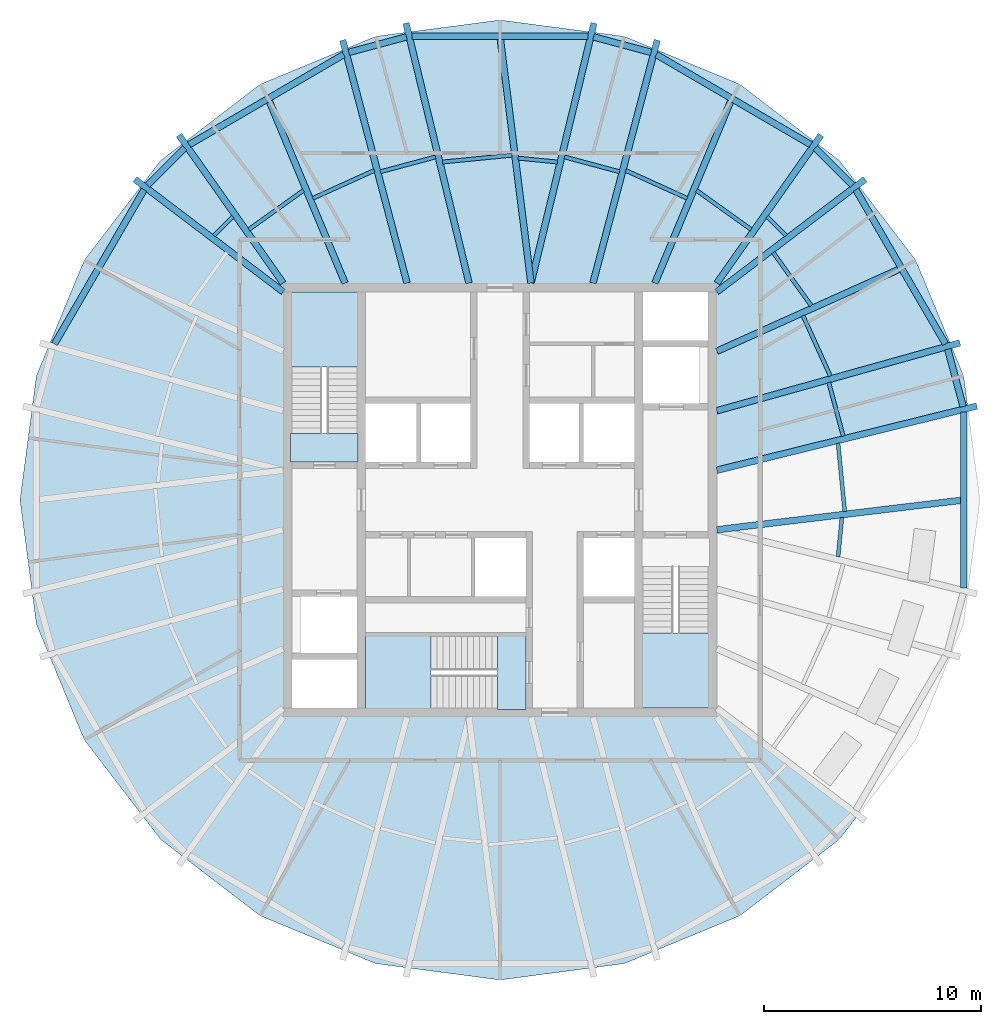
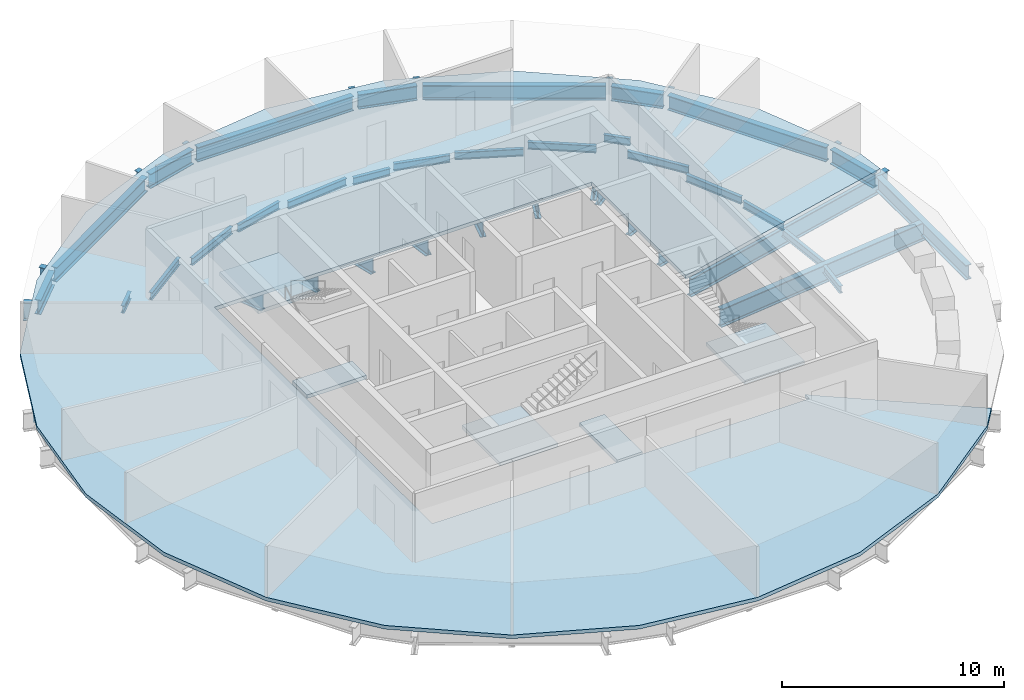
# One storey, part 2 of 7: 41 beams, 6 slabs, 3 elements without a shape of their own.
"""IFC4 building model written with IfcOpenShell, lengths in metres."""

from ifc_helpers import new_model, si_unit, direction, frame, origin, origin_2d, place, context, subcontext, project, spatial, polyline, i_section, outline, extrude, material, layer, layer_set, material_profile, profile_set, type_object, element, aggregate, save


model = new_model("IFC4")

# Units and contexts
model_context = context("Model", 3, precision=1e-05, world=origin(), true_north=direction((0.0, 1.0)))
body_context = subcontext(model_context, "Body", "Model", "MODEL_VIEW")
ifc_project = project(units=[si_unit("LENGTHUNIT", "METRE"), si_unit("AREAUNIT", "SQUARE_METRE"), si_unit("VOLUMEUNIT", "CUBIC_METRE"), si_unit("PLANEANGLEUNIT", "RADIAN"), si_unit("MASSUNIT", "GRAM", prefix="KILO")], contexts=[model_context])

# Site, building, storey
site_placement = place(None, origin())
site = spatial("IfcSite", under=ifc_project, at=site_placement, CompositionType="ELEMENT")
building_placement = place(site_placement, origin())
building = spatial("IfcBuilding", under=site, at=building_placement, Name="Golbaran Civic Tower", CompositionType="ELEMENT")
storey_placement = place(building_placement, frame((0.0, 0.0, 260.0)))
storey = spatial("IfcBuildingStorey", under=building, at=storey_placement, Name="L63", CompositionType="ELEMENT", Elevation=260.0)

# Beams
ifc_material_1 = material(Name="Steel S355", Category="steel")
ifc_material_profile_1 = material_profile(ifc_material_1, i_section(OverallWidth=0.300048828125, OverallDepth=0.800048828125, WebThickness=0.017578125, FlangeThickness=0.032958984375, FilletRadius=0.030029296875, at=origin_2d()), Name="HEB 800")
ifc_profile_set_1 = profile_set([ifc_material_profile_1], Name="Steel S355")
beam_type_1 = type_object("IfcBeamType", Name="EDGE BEAM HEB 800", PredefinedType="BEAM", material=ifc_profile_set_1)
beam_1_placement = place(storey_placement, frame((21.353759765625, 4.31005859375, -0.60009765625), z_axis=(-0.25901694916, 0.965872776326, 0.0), x_axis=(-0.965872776326, -0.25901694916, 0.0)))
element("IfcBeam", 1, at=beam_1_placement, inside=storey, type_object=beam_type_1, Name="Edge beam 11.21 L63", PredefinedType="BEAM", context=body_context, shape_type="SweptSolid", body=[
    extrude(i_section(OverallWidth=0.300048828125, OverallDepth=0.800048828125, WebThickness=0.017578125, FlangeThickness=0.032958984375, FilletRadius=0.030029296875, at=origin_2d()), origin(), (0.0, 0.0, 1.0), 2.7373046875),
])
beam_2_placement = place(storey_placement, frame((20.54345703125, 7.195556640625, -0.60009765625), z_axis=(-0.502779418578, 0.864414747823, 0.0), x_axis=(-0.864414747823, -0.502779418578, 0.0)))
element("IfcBeam", 2, at=beam_2_placement, inside=storey, type_object=beam_type_1, Name="Edge beam 18.79 L63", PredefinedType="BEAM", context=body_context, shape_type="SweptSolid", body=[
    extrude(i_section(OverallWidth=0.300048828125, OverallDepth=0.800048828125, WebThickness=0.017578125, FlangeThickness=0.032958984375, FilletRadius=0.030029296875, at=origin_2d()), origin(), (0.0, 0.0, 1.0), 8.221435546875),
])
beam_3_placement = place(storey_placement, frame((16.251220703125, 14.50830078125, -0.60009765625), z_axis=(-0.706451703172, 0.707761252885, 0.0), x_axis=(-0.707761252885, -0.706451703172, 0.0)))
element("IfcBeam", 3, at=beam_3_placement, inside=storey, type_object=beam_type_1, Name="Edge beam 41.21 L63", PredefinedType="BEAM", context=body_context, shape_type="SweptSolid", body=[
    extrude(i_section(OverallWidth=0.300048828125, OverallDepth=0.800048828125, WebThickness=0.017578125, FlangeThickness=0.032958984375, FilletRadius=0.030029296875, at=origin_2d()), origin(), (0.0, 0.0, 1.0), 2.423583984375),
])
beam_4_placement = place(storey_placement, frame((14.333251953125, 16.3828125, -0.60009765625), z_axis=(-0.863762793422, 0.503898637328, 0.0), x_axis=(-0.503898637328, -0.863762793422, 0.0)))
element("IfcBeam", 4, at=beam_4_placement, inside=storey, type_object=beam_type_1, Name="Edge beam 48.79 L63", PredefinedType="BEAM", context=body_context, shape_type="SweptSolid", body=[
    extrude(i_section(OverallWidth=0.300048828125, OverallDepth=0.800048828125, WebThickness=0.017578125, FlangeThickness=0.032958984375, FilletRadius=0.030029296875, at=origin_2d()), origin(), (0.0, 0.0, 1.0), 8.246337890625),
])
beam_5_placement = place(storey_placement, frame((6.96826171875, 20.639892578125, -0.60009765625), z_axis=(-0.965755456835, 0.259454037534, 0.0), x_axis=(-0.259454037534, -0.965755456835, 0.0)))
element("IfcBeam", 5, at=beam_5_placement, inside=storey, type_object=beam_type_1, Name="Edge beam 71.21 L63", PredefinedType="BEAM", context=body_context, shape_type="SweptSolid", body=[
    extrude(i_section(OverallWidth=0.300048828125, OverallDepth=0.800048828125, WebThickness=0.017578125, FlangeThickness=0.032958984375, FilletRadius=0.030029296875, at=origin_2d()), origin(), (0.0, 0.0, 1.0), 2.74755859375),
])
beam_6_placement = place(storey_placement, frame((4.055419921875, 21.386474609375, -0.60009765625), z_axis=(-1.0, 0.0, 0.0), x_axis=(0.0, -1.0, 0.0)))
element("IfcBeam", 6, at=beam_6_placement, inside=storey, type_object=beam_type_1, Name="Edge beam 78.79 L63", PredefinedType="BEAM", context=body_context, shape_type="SweptSolid", body=[
    extrude(i_section(OverallWidth=0.300048828125, OverallDepth=0.800048828125, WebThickness=0.017578125, FlangeThickness=0.032958984375, FilletRadius=0.030029296875, at=origin_2d()), origin(), (0.0, 0.0, 1.0), 8.11083984375),
])
beam_7_placement = place(storey_placement, frame((-4.314697265625, 21.352783203125, -0.60009765625), z_axis=(-0.965755456835, -0.259454037534, 0.0), x_axis=(0.259454037534, -0.965755456835, 0.0)))
element("IfcBeam", 7, at=beam_7_placement, inside=storey, type_object=beam_type_1, Name="Edge beam 101.21 L63", PredefinedType="BEAM", context=body_context, shape_type="SweptSolid", body=[
    extrude(i_section(OverallWidth=0.300048828125, OverallDepth=0.800048828125, WebThickness=0.017578125, FlangeThickness=0.032958984375, FilletRadius=0.030029296875, at=origin_2d()), origin(), (0.0, 0.0, 1.0), 2.74755859375),
])
beam_8_placement = place(storey_placement, frame((-7.21044921875, 20.5380859375, -0.60009765625), z_axis=(-0.863762793422, -0.503898637328, 0.0), x_axis=(0.503898637328, -0.863762793422, 0.0)))
element("IfcBeam", 8, at=beam_8_placement, inside=storey, type_object=beam_type_1, Name="Edge beam 108.79 L63", PredefinedType="BEAM", context=body_context, shape_type="SweptSolid", body=[
    extrude(i_section(OverallWidth=0.300048828125, OverallDepth=0.800048828125, WebThickness=0.017578125, FlangeThickness=0.032958984375, FilletRadius=0.030029296875, at=origin_2d()), origin(), (0.0, 0.0, 1.0), 8.246337890625),
])
beam_9_placement = place(storey_placement, frame((-14.5390625, 16.2236328125, -0.60009765625), z_axis=(-0.706451703172, -0.707761252885, 0.0), x_axis=(0.707761252885, -0.706451703172, 0.0)))
element("IfcBeam", 9, at=beam_9_placement, inside=storey, type_object=beam_type_1, Name="Edge beam 131.21 L63", PredefinedType="BEAM", context=body_context, shape_type="SweptSolid", body=[
    extrude(i_section(OverallWidth=0.300048828125, OverallDepth=0.800048828125, WebThickness=0.017578125, FlangeThickness=0.032958984375, FilletRadius=0.030029296875, at=origin_2d()), origin(), (0.0, 0.0, 1.0), 2.423583984375),
])
beam_10_placement = place(storey_placement, frame((-16.409912109375, 14.30224609375, -0.60009765625), z_axis=(-0.502779418578, -0.864414747823, 0.0), x_axis=(0.864414747823, -0.502779418578, 0.0)))
element("IfcBeam", 10, at=beam_10_placement, inside=storey, type_object=beam_type_1, Name="Edge beam 138.79 L63", PredefinedType="BEAM", context=body_context, shape_type="SweptSolid", body=[
    extrude(i_section(OverallWidth=0.300048828125, OverallDepth=0.800048828125, WebThickness=0.017578125, FlangeThickness=0.032958984375, FilletRadius=0.030029296875, at=origin_2d()), origin(), (0.0, 0.0, 1.0), 8.221435546875),
])
beam_11_placement = place(storey_placement, frame((21.387451171875, -4.050537109375, -0.60009765625), z_axis=(0.0, 1.0, 0.0), x_axis=(-1.0, 0.0, 0.0)))
element("IfcBeam", 11, at=beam_11_placement, inside=storey, type_object=beam_type_1, Name="Edge beam 348.79 L63", PredefinedType="BEAM", context=body_context, shape_type="SweptSolid", body=[
    extrude(i_section(OverallWidth=0.300048828125, OverallDepth=0.800048828125, WebThickness=0.017578125, FlangeThickness=0.032958984375, FilletRadius=0.030029296875, at=origin_2d()), origin(), (0.0, 0.0, 1.0), 8.10107421875),
])
ifc_material_profile_2 = material_profile(ifc_material_1, i_section(OverallWidth=0.179931640625, OverallDepth=0.39990234375, WebThickness=0.008544921875, FlangeThickness=0.013427734375, FilletRadius=0.02099609375, at=origin_2d()), Name="IPE 400")
ifc_profile_set_2 = profile_set([ifc_material_profile_2], Name="Steel S355")
beam_type_2 = type_object("IfcBeamType", Name="FLOOR INFILL BEAM IPE 400", PredefinedType="BEAM", material=ifc_profile_set_2)
beam_12_placement = place(storey_placement, frame((15.896728515625, -0.5302734375, -0.39990234375), z_axis=(-0.097631380089, 0.995222645252, 0.0), x_axis=(-0.995222645252, -0.097631380089, 0.0)))
element("IfcBeam", 12, at=beam_12_placement, inside=storey, type_object=beam_type_2, Name="Infill beam 5.60 L63", PredefinedType="BEAM", context=body_context, shape_type="SweptSolid", body=[
    extrude(i_section(OverallWidth=0.179931640625, OverallDepth=0.39990234375, WebThickness=0.008544921875, FlangeThickness=0.013427734375, FilletRadius=0.02099609375, at=origin_2d()), origin(), (0.0, 0.0, 1.0), 3.163330078125),
])
beam_13_placement = place(storey_placement, frame((15.82421875, 2.944091796875, -0.39990234375), z_axis=(-0.258829662571, 0.965922981284, 0.0), x_axis=(-0.965922981284, -0.258829662571, 0.0)))
element("IfcBeam", 13, at=beam_13_placement, inside=storey, type_object=beam_type_2, Name="Infill beam 15.00 L63", PredefinedType="BEAM", context=body_context, shape_type="SweptSolid", body=[
    extrude(i_section(OverallWidth=0.179931640625, OverallDepth=0.39990234375, WebThickness=0.008544921875, FlangeThickness=0.013427734375, FilletRadius=0.02099609375, at=origin_2d()), origin(), (0.0, 0.0, 1.0), 2.564697265625),
])
beam_14_placement = place(storey_placement, frame((15.23388671875, 5.7119140625, -0.39990234375), z_axis=(-0.413057972764, 0.910704733235, 0.0), x_axis=(-0.910704733235, -0.413057972764, 0.0)))
element("IfcBeam", 14, at=beam_14_placement, inside=storey, type_object=beam_type_2, Name="Infill beam 24.40 L63", PredefinedType="BEAM", context=body_context, shape_type="SweptSolid", body=[
    extrude(i_section(OverallWidth=0.179931640625, OverallDepth=0.39990234375, WebThickness=0.008544921875, FlangeThickness=0.013427734375, FilletRadius=0.02099609375, at=origin_2d()), origin(), (0.0, 0.0, 1.0), 3.062255859375),
])
beam_15_placement = place(storey_placement, frame((14.35302734375, 8.958740234375, -0.39990234375), z_axis=(-0.582187972449, 0.813054220046, 0.0), x_axis=(-0.813054220046, -0.582187972449, 0.0)))
element("IfcBeam", 15, at=beam_15_placement, inside=storey, type_object=beam_type_2, Name="Infill beam 35.60 L63", PredefinedType="BEAM", context=body_context, shape_type="SweptSolid", body=[
    extrude(i_section(OverallWidth=0.179931640625, OverallDepth=0.39990234375, WebThickness=0.008544921875, FlangeThickness=0.013427734375, FilletRadius=0.02099609375, at=origin_2d()), origin(), (0.0, 0.0, 1.0), 3.013916015625),
])
beam_16_placement = place(storey_placement, frame((13.193359375, 12.187255859375, -0.39990234375), z_axis=(-0.707106781187, 0.707106781187, 0.0), x_axis=(-0.707106781187, -0.707106781187, 0.0)))
element("IfcBeam", 16, at=beam_16_placement, inside=storey, type_object=beam_type_2, Name="Infill beam 45.00 L63", PredefinedType="BEAM", context=body_context, shape_type="SweptSolid", body=[
    extrude(i_section(OverallWidth=0.179931640625, OverallDepth=0.39990234375, WebThickness=0.008544921875, FlangeThickness=0.013427734375, FilletRadius=0.02099609375, at=origin_2d()), origin(), (0.0, 0.0, 1.0), 1.240966796875),
])
beam_17_placement = place(storey_placement, frame((11.5810546875, 12.472412109375, -0.39990234375), z_axis=(-0.813098930695, 0.582125526757, 0.0), x_axis=(-0.582125526757, -0.813098930695, 0.0)))
element("IfcBeam", 17, at=beam_17_placement, inside=storey, type_object=beam_type_2, Name="Infill beam 54.40 L63", PredefinedType="BEAM", context=body_context, shape_type="SweptSolid", body=[
    extrude(i_section(OverallWidth=0.179931640625, OverallDepth=0.39990234375, WebThickness=0.008544921875, FlangeThickness=0.013427734375, FilletRadius=0.02099609375, at=origin_2d()), origin(), (0.0, 0.0, 1.0), 3.095947265625),
])
beam_18_placement = place(storey_placement, frame((8.63037109375, 13.910400390625, -0.39990234375), z_axis=(-0.910699287855, 0.413069978454, 0.0), x_axis=(-0.413069978454, -0.910699287855, 0.0)))
element("IfcBeam", 18, at=beam_18_placement, inside=storey, type_object=beam_type_2, Name="Infill beam 65.60 L63", PredefinedType="BEAM", context=body_context, shape_type="SweptSolid", body=[
    extrude(i_section(OverallWidth=0.179931640625, OverallDepth=0.39990234375, WebThickness=0.008544921875, FlangeThickness=0.013427734375, FilletRadius=0.02099609375, at=origin_2d()), origin(), (0.0, 0.0, 1.0), 3.1123046875),
])
beam_19_placement = place(storey_placement, frame((5.51123046875, 15.13623046875, -0.39990234375), z_axis=(-0.965935199195, 0.258784062406, 0.0), x_axis=(-0.258784062406, -0.965935199195, 0.0)))
element("IfcBeam", 19, at=beam_19_placement, inside=storey, type_object=beam_type_2, Name="Infill beam 75.00 L63", PredefinedType="BEAM", context=body_context, shape_type="SweptSolid", body=[
    extrude(i_section(OverallWidth=0.179931640625, OverallDepth=0.39990234375, WebThickness=0.008544921875, FlangeThickness=0.013427734375, FilletRadius=0.02099609375, at=origin_2d()), origin(), (0.0, 0.0, 1.0), 2.62841796875),
])
beam_20_placement = place(storey_placement, frame((2.648681640625, 15.58447265625, -0.39990234375), z_axis=(-0.995223928359, 0.097618299629, 0.0), x_axis=(-0.097618299629, -0.995223928359, 0.0)))
element("IfcBeam", 20, at=beam_20_placement, inside=storey, type_object=beam_type_2, Name="Infill beam 84.40 L63", PredefinedType="BEAM", context=body_context, shape_type="SweptSolid", body=[
    extrude(i_section(OverallWidth=0.179931640625, OverallDepth=0.39990234375, WebThickness=0.008544921875, FlangeThickness=0.013427734375, FilletRadius=0.02099609375, at=origin_2d()), origin(), (0.0, 0.0, 1.0), 1.82080078125),
])
beam_21_placement = place(storey_placement, frame((0.557373046875, 15.89892578125, -0.39990234375), z_axis=(-0.995224483875, -0.097612635945, 0.0), x_axis=(0.097612635945, -0.995224483875, 0.0)))
element("IfcBeam", 21, at=beam_21_placement, inside=storey, type_object=beam_type_2, Name="Infill beam 95.60 L63", PredefinedType="BEAM", context=body_context, shape_type="SweptSolid", body=[
    extrude(i_section(OverallWidth=0.179931640625, OverallDepth=0.39990234375, WebThickness=0.008544921875, FlangeThickness=0.013427734375, FilletRadius=0.02099609375, at=origin_2d()), origin(), (0.0, 0.0, 1.0), 3.221435546875),
])
beam_22_placement = place(storey_placement, frame((-2.972412109375, 15.81640625, -0.39990234375), z_axis=(-0.965935199195, -0.258784062406, 0.0), x_axis=(0.258784062406, -0.965935199195, 0.0)))
element("IfcBeam", 22, at=beam_22_placement, inside=storey, type_object=beam_type_2, Name="Infill beam 105.00 L63", PredefinedType="BEAM", context=body_context, shape_type="SweptSolid", body=[
    extrude(i_section(OverallWidth=0.179931640625, OverallDepth=0.39990234375, WebThickness=0.008544921875, FlangeThickness=0.013427734375, FilletRadius=0.02099609375, at=origin_2d()), origin(), (0.0, 0.0, 1.0), 2.62841796875),
])
beam_23_placement = place(storey_placement, frame((-5.7958984375, 15.196044921875, -0.39990234375), z_axis=(-0.910699287855, -0.413069978454, 0.0), x_axis=(0.413069978454, -0.910699287855, 0.0)))
element("IfcBeam", 23, at=beam_23_placement, inside=storey, type_object=beam_type_2, Name="Infill beam 114.40 L63", PredefinedType="BEAM", context=body_context, shape_type="SweptSolid", body=[
    extrude(i_section(OverallWidth=0.179931640625, OverallDepth=0.39990234375, WebThickness=0.008544921875, FlangeThickness=0.013427734375, FilletRadius=0.02099609375, at=origin_2d()), origin(), (0.0, 0.0, 1.0), 3.1123046875),
])
beam_24_placement = place(storey_placement, frame((-9.063720703125, 14.274658203125, -0.39990234375), z_axis=(-0.813098930695, -0.582125526757, 0.0), x_axis=(0.582125526757, -0.813098930695, 0.0)))
element("IfcBeam", 24, at=beam_24_placement, inside=storey, type_object=beam_type_2, Name="Infill beam 125.60 L63", PredefinedType="BEAM", context=body_context, shape_type="SweptSolid", body=[
    extrude(i_section(OverallWidth=0.179931640625, OverallDepth=0.39990234375, WebThickness=0.008544921875, FlangeThickness=0.013427734375, FilletRadius=0.02099609375, at=origin_2d()), origin(), (0.0, 0.0, 1.0), 3.095947265625),
])
beam_25_placement = place(storey_placement, frame((-12.31591796875, 13.064697265625, -0.39990234375), z_axis=(-0.707106781187, -0.707106781187, 0.0), x_axis=(0.707106781187, -0.707106781187, 0.0)))
element("IfcBeam", 25, at=beam_25_placement, inside=storey, type_object=beam_type_2, Name="Infill beam 135.00 L63", PredefinedType="BEAM", context=body_context, shape_type="SweptSolid", body=[
    extrude(i_section(OverallWidth=0.179931640625, OverallDepth=0.39990234375, WebThickness=0.008544921875, FlangeThickness=0.013427734375, FilletRadius=0.02099609375, at=origin_2d()), origin(), (0.0, 0.0, 1.0), 1.240966796875),
])
beam_26_placement = place(storey_placement, frame((15.587890625, -2.617919921875, -0.39990234375), z_axis=(0.097735684959, 0.995212407421, 0.0), x_axis=(-0.995212407421, 0.097735684959, 0.0)))
element("IfcBeam", 26, at=beam_26_placement, inside=storey, type_object=beam_type_2, Name="Infill beam 354.40 L63", PredefinedType="BEAM", context=body_context, shape_type="SweptSolid", body=[
    extrude(i_section(OverallWidth=0.179931640625, OverallDepth=0.39990234375, WebThickness=0.008544921875, FlangeThickness=0.013427734375, FilletRadius=0.02099609375, at=origin_2d()), origin(), (0.0, 0.0, 1.0), 1.818603515625),
])
ifc_material_profile_3 = material_profile(ifc_material_1, i_section(OverallWidth=0.300048828125, OverallDepth=1.0, WebThickness=0.01904296875, FlangeThickness=0.035888671875, FilletRadius=0.030029296875, at=origin_2d()), Name="HEB 1000")
ifc_profile_set_3 = profile_set([ifc_material_profile_3], Name="Steel S355")
beam_type_3 = type_object("IfcBeamType", Name="RADIAL FLOOR BEAM HEB 1000", PredefinedType="BEAM", material=ifc_profile_set_3)
beam_27_placement = place(storey_placement, frame((10.0, 1.371337890625, -0.7099609375), z_axis=(0.970817930922, 0.239817732875, 0.0), x_axis=(-0.239817732875, 0.970817930922, 0.0)))
element("IfcBeam", 27, at=beam_27_placement, inside=storey, type_object=beam_type_3, Name="Radial beam 11.21 L63", PredefinedType="BEAM", context=body_context, shape_type="SweptSolid", body=[
    extrude(i_section(OverallWidth=0.300048828125, OverallDepth=1.0, WebThickness=0.01904296875, FlangeThickness=0.035888671875, FilletRadius=0.030029296875, at=origin_2d()), origin(), (0.0, 0.0, 1.0), 12.34765625),
])
beam_28_placement = place(storey_placement, frame((10.0, 4.1142578125, -0.7099609375), z_axis=(0.963103136489, 0.269132585328, 0.0), x_axis=(-0.269132585328, 0.963103136489, 0.0)))
element("IfcBeam", 28, at=beam_28_placement, inside=storey, type_object=beam_type_3, Name="Radial beam 18.79 L63", PredefinedType="BEAM", context=body_context, shape_type="SweptSolid", body=[
    extrude(i_section(OverallWidth=0.300048828125, OverallDepth=1.0, WebThickness=0.01904296875, FlangeThickness=0.035888671875, FilletRadius=0.030029296875, at=origin_2d()), origin(), (0.0, 0.0, 1.0), 11.635986328125),
])
beam_29_placement = place(storey_placement, frame((10.0, 9.60009765625, -0.7099609375), z_axis=(0.79651506538, 0.604618681999, 0.0), x_axis=(-0.604618681999, 0.79651506538, 0.0)))
element("IfcBeam", 29, at=beam_29_placement, inside=storey, type_object=beam_type_3, Name="Radial beam 41.21 L63", PredefinedType="BEAM", context=body_context, shape_type="SweptSolid", body=[
    extrude(i_section(OverallWidth=0.300048828125, OverallDepth=1.0, WebThickness=0.01904296875, FlangeThickness=0.035888671875, FilletRadius=0.030029296875, at=origin_2d()), origin(), (0.0, 0.0, 1.0), 8.58251953125),
])
beam_30_placement = place(storey_placement, frame((10.0, 10.0, -0.7099609375), z_axis=(0.575547758887, 0.817768168395, 0.0), x_axis=(-0.817768168395, 0.575547758887, 0.0)))
element("IfcBeam", 30, at=beam_30_placement, inside=storey, type_object=beam_type_3, Name="Radial beam 48.79 L63", PredefinedType="BEAM", context=body_context, shape_type="SweptSolid", body=[
    extrude(i_section(OverallWidth=0.300048828125, OverallDepth=1.0, WebThickness=0.01904296875, FlangeThickness=0.035888671875, FilletRadius=0.030029296875, at=origin_2d()), origin(), (0.0, 0.0, 1.0), 8.3447265625),
])
beam_31_placement = place(storey_placement, frame((4.28564453125, 10.0, -0.7099609375), z_axis=(0.255948719211, 0.966690360526, 0.0), x_axis=(-0.966690360526, 0.255948719211, 0.0)))
element("IfcBeam", 31, at=beam_31_placement, inside=storey, type_object=beam_type_3, Name="Radial beam 71.21 L63", PredefinedType="BEAM", context=body_context, shape_type="SweptSolid", body=[
    extrude(i_section(OverallWidth=0.300048828125, OverallDepth=1.0, WebThickness=0.01904296875, FlangeThickness=0.035888671875, FilletRadius=0.030029296875, at=origin_2d()), origin(), (0.0, 0.0, 1.0), 11.59033203125),
])
for number, where, z_axis, x_axis, name in (
    (32, (1.428466796875, 10.0, -0.7099609375), (0.235622686022, 0.971844611979, 0.0), (-0.971844611979, 0.235622686022, 0.0), "Radial beam 78.79 L63"),
    (33, (-1.428466796875, 10.0, -0.7099609375), (-0.235622686022, 0.971844611979, 0.0), (-0.971844611979, -0.235622686022, 0.0), "Radial beam 101.21 L63"),
):
    element("IfcBeam", number, at=place(storey_placement, frame(where, z_axis=z_axis, x_axis=x_axis)), inside=storey, type_object=beam_type_3, Name=name, PredefinedType="BEAM", context=body_context, shape_type="SweptSolid", body=[
        extrude(i_section(OverallWidth=0.300048828125, OverallDepth=1.0, WebThickness=0.01904296875, FlangeThickness=0.035888671875, FilletRadius=0.030029296875, at=origin_2d()), origin(), (0.0, 0.0, 1.0), 12.334228515625),
    ])
beam_32_placement = place(storey_placement, frame((-4.28564453125, 10.0, -0.7099609375), z_axis=(-0.255948719211, 0.966690360526, 0.0), x_axis=(-0.966690360526, -0.255948719211, 0.0)))
element("IfcBeam", 34, at=beam_32_placement, inside=storey, type_object=beam_type_3, Name="Radial beam 108.79 L63", PredefinedType="BEAM", context=body_context, shape_type="SweptSolid", body=[
    extrude(i_section(OverallWidth=0.300048828125, OverallDepth=1.0, WebThickness=0.01904296875, FlangeThickness=0.035888671875, FilletRadius=0.030029296875, at=origin_2d()), origin(), (0.0, 0.0, 1.0), 11.59033203125),
])
beam_33_placement = place(storey_placement, frame((-10.0, 10.0, -0.7099609375), z_axis=(-0.575547758887, 0.817768168395, 0.0), x_axis=(-0.817768168395, -0.575547758887, 0.0)))
element("IfcBeam", 35, at=beam_33_placement, inside=storey, type_object=beam_type_3, Name="Radial beam 131.21 L63", PredefinedType="BEAM", context=body_context, shape_type="SweptSolid", body=[
    extrude(i_section(OverallWidth=0.300048828125, OverallDepth=1.0, WebThickness=0.01904296875, FlangeThickness=0.035888671875, FilletRadius=0.030029296875, at=origin_2d()), origin(), (0.0, 0.0, 1.0), 8.3447265625),
])
beam_34_placement = place(storey_placement, frame((-10.0, 9.60009765625, -0.7099609375), z_axis=(-0.79651506538, 0.604618681999, 0.0), x_axis=(-0.604618681999, -0.79651506538, 0.0)))
element("IfcBeam", 36, at=beam_34_placement, inside=storey, type_object=beam_type_3, Name="Radial beam 138.79 L63", PredefinedType="BEAM", context=body_context, shape_type="SweptSolid", body=[
    extrude(i_section(OverallWidth=0.300048828125, OverallDepth=1.0, WebThickness=0.01904296875, FlangeThickness=0.035888671875, FilletRadius=0.030029296875, at=origin_2d()), origin(), (0.0, 0.0, 1.0), 8.58251953125),
])
ifc_material_profile_4 = material_profile(ifc_material_1, i_section(OverallWidth=0.300048828125, OverallDepth=1.0, WebThickness=0.01904296875, FlangeThickness=0.035888671875, FilletRadius=0.030029296875, at=origin_2d()), Name="HEB 1000")
ifc_profile_set_4 = profile_set([ifc_material_profile_4], Name="Steel S355")
beam_type_4 = type_object("IfcBeamType", Name="SECONDARY FLOOR BEAM HEB 1000", PredefinedType="BEAM", material=ifc_profile_set_4)
beam_35_placement = place(storey_placement, frame((10.0, -1.371337890625, -0.7099609375), z_axis=(0.992826793708, 0.119561522635, 0.0), x_axis=(-0.119561522635, 0.992826793708, 0.0)))
element("IfcBeam", 37, at=beam_35_placement, inside=storey, type_object=beam_type_4, Name="Secondary beam 0.00 L63", PredefinedType="BEAM", context=body_context, shape_type="SweptSolid", body=[
    extrude(i_section(OverallWidth=0.300048828125, OverallDepth=1.0, WebThickness=0.01904296875, FlangeThickness=0.035888671875, FilletRadius=0.030029296875, at=origin_2d()), origin(), (0.0, 0.0, 1.0), 11.4697265625),
])
beam_36_placement = place(storey_placement, frame((10.0, 6.857177734375, -0.7099609375), z_axis=(0.911908780842, 0.410392952452, 0.0), x_axis=(-0.410392952452, 0.911908780842, 0.0)))
element("IfcBeam", 38, at=beam_36_placement, inside=storey, type_object=beam_type_4, Name="Secondary beam 30.00 L63", PredefinedType="BEAM", context=body_context, shape_type="SweptSolid", body=[
    extrude(i_section(OverallWidth=0.300048828125, OverallDepth=1.0, WebThickness=0.01904296875, FlangeThickness=0.035888671875, FilletRadius=0.030029296875, at=origin_2d()), origin(), (0.0, 0.0, 1.0), 9.33447265625),
])
beam_37_placement = place(storey_placement, frame((7.142822265625, 10.0, -0.7099609375), z_axis=(0.384440489857, 0.923149776449, 0.0), x_axis=(-0.923149776449, 0.384440489857, 0.0)))
element("IfcBeam", 39, at=beam_37_placement, inside=storey, type_object=beam_type_4, Name="Secondary beam 60.00 L63", PredefinedType="BEAM", context=body_context, shape_type="SweptSolid", body=[
    extrude(i_section(OverallWidth=0.300048828125, OverallDepth=1.0, WebThickness=0.01904296875, FlangeThickness=0.035888671875, FilletRadius=0.030029296875, at=origin_2d()), origin(), (0.0, 0.0, 1.0), 9.218505859375),
])
beam_38_placement = place(storey_placement, frame((1.428466796875, 10.0, -0.7099609375), z_axis=(-0.124477232328, 0.992222464285, 0.0), x_axis=(-0.992222464285, -0.124477232328, 0.0)))
element("IfcBeam", 40, at=beam_38_placement, inside=storey, type_object=beam_type_4, Name="Secondary beam 90.00 L63", PredefinedType="BEAM", context=body_context, shape_type="SweptSolid", body=[
    extrude(i_section(OverallWidth=0.300048828125, OverallDepth=1.0, WebThickness=0.01904296875, FlangeThickness=0.035888671875, FilletRadius=0.030029296875, at=origin_2d()), origin(), (0.0, 0.0, 1.0), 11.475830078125),
])
beam_39_placement = place(storey_placement, frame((-7.142822265625, 10.0, -0.7099609375), z_axis=(-0.384440489857, 0.923149776449, 0.0), x_axis=(-0.923149776449, -0.384440489857, 0.0)))
element("IfcBeam", 41, at=beam_39_placement, inside=storey, type_object=beam_type_4, Name="Secondary beam 120.00 L63", PredefinedType="BEAM", context=body_context, shape_type="SweptSolid", body=[
    extrude(i_section(OverallWidth=0.300048828125, OverallDepth=1.0, WebThickness=0.01904296875, FlangeThickness=0.035888671875, FilletRadius=0.030029296875, at=origin_2d()), origin(), (0.0, 0.0, 1.0), 9.218505859375),
])

# Slab
ifc_material_2 = material(Name="Concrete LC30/33 lightweight on steel deck", Category="concrete")
ifc_layer_1 = layer(ifc_material_2, 0.199951171875, Name="Concrete LC30/33 lightweight on steel deck")
ifc_layer_set_1 = layer_set([ifc_layer_1], Name="Concrete LC30/33 lightweight on steel deck")
slab_type_1 = type_object("IfcSlabType", Name="COMPOSITE FLOOR SLAB 200", PredefinedType="FLOOR", material=ifc_layer_set_1)
slab_1_placement = place(storey_placement, frame((0.0, 0.0, -0.199951171875)))
element("IfcSlab", 42, at=slab_1_placement, inside=storey, type_object=slab_type_1, Name="Floor slab L63", PredefinedType="FLOOR", context=body_context, shape_type="SweptSolid", body=[
    extrude(outline(polyline([(11.066162109375, -19.167236328125), (5.728271484375, -21.378173828125), (0.0, -22.13232421875), (-5.728271484375, -21.378173828125), (-11.066162109375, -19.167236328125), (-15.64990234375, -15.64990234375), (-19.167236328125, -11.066162109375), (-21.378173828125, -5.728271484375), (-22.13232421875, 0.0), (-21.378173828125, 5.728271484375), (-19.167236328125, 11.066162109375), (-15.64990234375, 15.64990234375), (-11.066162109375, 19.167236328125), (-5.728271484375, 21.378173828125), (0.0, 22.13232421875), (5.728271484375, 21.378173828125), (11.066162109375, 19.167236328125), (15.64990234375, 15.64990234375), (19.167236328125, 11.066162109375), (21.378173828125, 5.728271484375), (21.5751953125, 4.230712890625), (10.0, 1.371337890625), (9.800048828125, 1.343994140625), (9.800048828125, 9.800048828125), (-9.800048828125, 9.800048828125), (-9.800048828125, -9.800048828125), (9.800048828125, -9.800048828125), (9.800048828125, -9.407958984375), (10.0, -9.60009765625), (16.50390625, -14.536865234375), (15.64990234375, -15.64990234375), (11.066162109375, -19.167236328125)])), origin(), (0.0, 0.0, 1.0), 0.199951171875),
])

# Stair, slab
ifc_material_3 = material(Name="Concrete C35/45", Category="concrete")
stair_type_1 = type_object("IfcStairType", Name="EXIT STAIR 3000 x 7850, 4000 RISE", PredefinedType="HALF_TURN_STAIR", material=ifc_material_3)
stair_1_placement = place(storey_placement, origin())
stair_1 = element("IfcStair", 43, at=stair_1_placement, inside=storey, type_object=stair_type_1, Name="Stair S1 L63", PredefinedType="HALF_TURN_STAIR")
ifc_layer_2 = layer(ifc_material_3, 0.199951171875, Name="Concrete C35/45")
ifc_layer_set_2 = layer_set([ifc_layer_2], Name="Concrete C35/45")
slab_type_2 = type_object("IfcSlabType", Name="STAIR LANDING 200", PredefinedType="LANDING", material=ifc_layer_set_2)
slab_2_placement = place(storey_placement, frame((0.0, 0.0, 1.800048828125)))
slab_2 = element("IfcSlab", 44, at=slab_2_placement, type_object=slab_type_2, Name="ST30078-40 landing 1", PredefinedType="LANDING", context=body_context, shape_type="SweptSolid", body=[
    extrude(outline(polyline([(-9.64990234375, 6.125), (-9.64990234375, 9.60009765625), (-6.550048828125, 9.60009765625), (-6.550048828125, 6.125), (-9.64990234375, 6.125)])), origin(), (0.0, 0.0, 1.0), 0.199951171875),
])
aggregate(stair_1, [slab_2])

# Slab
slab_3_placement = place(storey_placement, frame((0.0, 0.0, -0.199951171875)))
element("IfcSlab", 45, at=slab_3_placement, inside=storey, type_object=slab_type_2, Name="Stair S1 floor landing L63", PredefinedType="LANDING", context=body_context, shape_type="SweptSolid", body=[
    extrude(outline(polyline([(-9.64990234375, 1.75), (-9.64990234375, 3.054931640625), (-6.550048828125, 3.054931640625), (-6.550048828125, 1.75), (-9.64990234375, 1.75)])), origin(), (0.0, 0.0, 1.0), 0.199951171875),
])

# Stair, slab
stair_2_placement = place(storey_placement, origin())
stair_2 = element("IfcStair", 46, at=stair_2_placement, inside=storey, type_object=stair_type_1, Name="Stair S2 L63", PredefinedType="HALF_TURN_STAIR")
slab_4_placement = place(storey_placement, frame((0.0, 0.0, 1.800048828125)))
slab_4 = element("IfcSlab", 47, at=slab_4_placement, type_object=slab_type_2, Name="ST30078-40 landing 1", PredefinedType="LANDING", context=body_context, shape_type="SweptSolid", body=[
    extrude(outline(polyline([(9.64990234375, -6.125), (9.64990234375, -9.60009765625), (6.550048828125, -9.60009765625), (6.550048828125, -6.125), (9.64990234375, -6.125)])), origin(), (0.0, 0.0, 1.0), 0.199951171875),
])
aggregate(stair_2, [slab_4])

stair_type_2 = type_object("IfcStairType", Name="EXIT STAIR 3300 x 7400, 4000 RISE", PredefinedType="HALF_TURN_STAIR", material=ifc_material_3)
stair_3_placement = place(storey_placement, origin())
stair_3 = element("IfcStair", 48, at=stair_3_placement, inside=storey, type_object=stair_type_2, Name="Stair S3 L63", PredefinedType="HALF_TURN_STAIR")
slab_5_placement = place(storey_placement, frame((0.0, 0.0, 1.800048828125)))
slab_5 = element("IfcSlab", 49, at=slab_5_placement, type_object=slab_type_2, Name="ST33074-40 landing 1", PredefinedType="LANDING", context=body_context, shape_type="SweptSolid", body=[
    extrude(outline(polyline([(-3.175048828125, -9.64990234375), (-6.199951171875, -9.64990234375), (-6.199951171875, -6.25), (-3.175048828125, -6.25), (-3.175048828125, -9.64990234375)])), origin(), (0.0, 0.0, 1.0), 0.199951171875),
])
aggregate(stair_3, [slab_5])

# Slab
slab_6_placement = place(storey_placement, frame((0.0, 0.0, -0.199951171875)))
element("IfcSlab", 50, at=slab_6_placement, inside=storey, type_object=slab_type_2, Name="Stair S3 floor landing L63", PredefinedType="LANDING", context=body_context, shape_type="SweptSolid", body=[
    extrude(outline(polyline([(1.199951171875, -9.64990234375), (-0.10498046875, -9.64990234375), (-0.10498046875, -6.25), (1.199951171875, -6.25), (1.199951171875, -9.64990234375)])), origin(), (0.0, 0.0, 1.0), 0.199951171875),
])

save(model, "model.ifc")
